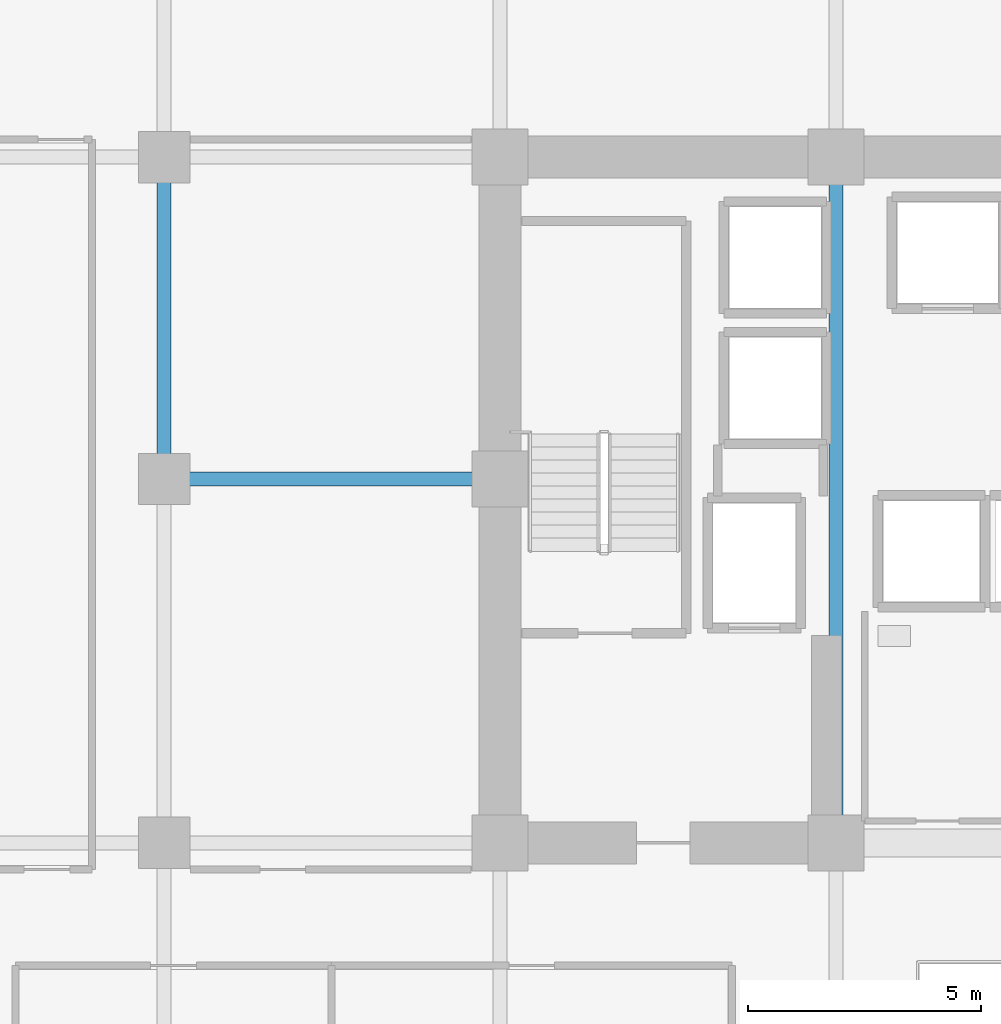
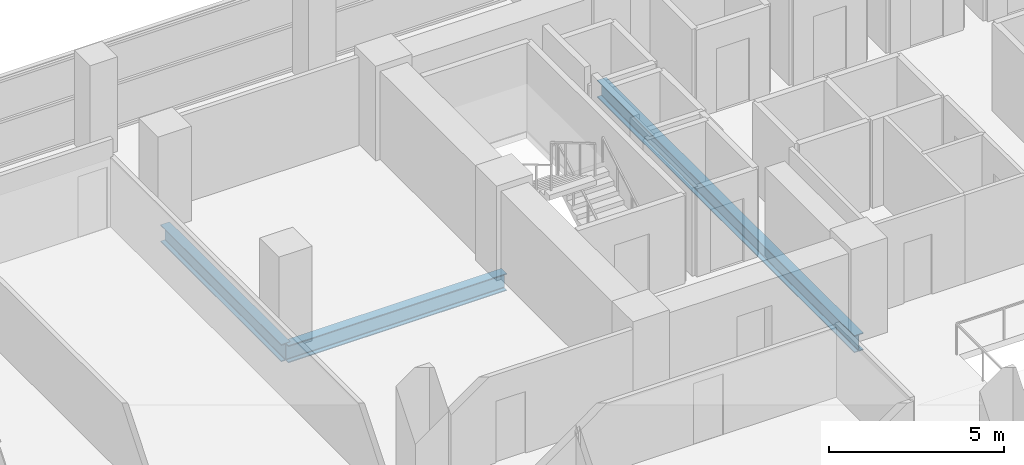
# One storey, part 11 of 30: 3 beams.
"""IFC4 building model written with IfcOpenShell, lengths in metres."""

import ifcopenshell
import ifcopenshell.guid

model = None  # the IFC model being written
_history = None  # IfcOwnerHistory: only IFC2X3 demands one
_inside = {}  # id of a spatial element -> (the spatial element, [elements in it])
_under = {}  # id of a project, library or spatial element -> (it, [spatial elements below it])
_declared = {}  # id of a project -> (the project, [libraries it declares])
_typed = {}  # id of a type object -> (the type object, [elements of that type])
_made_of = {}  # id of a material, layer set ... -> (it, [elements and type objects made of it])


def new_model(schema):
    """Start an empty IFC model of exactly this schema.

    Asked for "IFC4X3", IfcOpenShell would pick the latest addendum, in which some entities
    have other attributes; the version numbers below select the first issue.
    IFC2X3 requires an IfcOwnerHistory on every rooted entity: one is made here for all.
    """
    global model, _history
    if schema == "IFC4X3":
        model = ifcopenshell.file(schema_version=(4, 3, 0, 0))
    else:
        model = ifcopenshell.file(schema=schema)
    _inside.clear()
    _under.clear()
    _declared.clear()
    _typed.clear()
    _made_of.clear()
    _history = None
    if model.schema == "IFC2X3":
        org = make("IfcOrganization", Name="unknown")
        user = make(
            "IfcPersonAndOrganization",
            ThePerson=make("IfcPerson", FamilyName="unknown"),
            TheOrganization=org,
        )
        app = make(
            "IfcApplication",
            ApplicationDeveloper=org,
            Version="unknown",
            ApplicationFullName="unknown",
            ApplicationIdentifier="unknown",
        )
        _history = make(
            "IfcOwnerHistory",
            OwningUser=user,
            OwningApplication=app,
            ChangeAction="ADDED",
            CreationDate=0,
        )
    return model


def make(cls, **values):
    """One entity of the class cls with the attributes given. An attribute that is None is left unset."""
    return model.create_entity(
        cls, **{name: value for name, value in values.items() if value is not None}
    )


def rooted(cls, **values):
    """An entity with a GlobalId (a new one), such as an element, a storey or a relation."""
    return make(cls, GlobalId=ifcopenshell.guid.new(), OwnerHistory=_history, **values)


def si_unit(unit_type, name, prefix=None):
    """IfcSIUnit, for example si_unit("LENGTHUNIT", "METRE", prefix="MILLI")."""
    return make("IfcSIUnit", UnitType=unit_type, Prefix=prefix, Name=name)


def assignment(units):
    """IfcUnitAssignment: the units of a project."""
    return None if units is None else make("IfcUnitAssignment", Units=units)


def point(xyz):
    """IfcCartesianPoint."""
    return None if xyz is None else make("IfcCartesianPoint", Coordinates=xyz)


def direction(xyz):
    """IfcDirection."""
    return None if xyz is None else make("IfcDirection", DirectionRatios=xyz)


def frame(location, z_axis=None, x_axis=None):
    """IfcAxis2Placement3D, a coordinate frame: its origin and axes. An axis left out is left unset."""
    return make(
        "IfcAxis2Placement3D",
        Location=point(location),
        Axis=direction(z_axis),
        RefDirection=direction(x_axis),
    )


def frame_2d(location, x_axis=None):
    """IfcAxis2Placement2D, a coordinate frame in the plane: its origin and x axis."""
    return make(
        "IfcAxis2Placement2D", Location=point(location), RefDirection=direction(x_axis)
    )


def origin():
    """The frame at (0, 0, 0) with its axes left unset."""
    return frame((0.0, 0.0, 0.0))


def origin_2d():
    """The frame at (0, 0) in the plane with its x axis left unset."""
    return frame_2d((0.0, 0.0))


def place(relative_to, where):
    """IfcLocalPlacement: puts the frame where relative to a parent placement (None: the world)."""
    return make(
        "IfcLocalPlacement", PlacementRelTo=relative_to, RelativePlacement=where
    )


def context(
    kind, dimensions, precision=None, world=None, true_north=None, identifier=None
):
    """IfcGeometricRepresentationContext, for example the 3D "Model" context."""
    return make(
        "IfcGeometricRepresentationContext",
        ContextIdentifier=identifier,
        ContextType=kind,
        CoordinateSpaceDimension=dimensions,
        Precision=precision,
        WorldCoordinateSystem=world,
        TrueNorth=true_north,
    )


def subcontext(parent, identifier, kind, view, scale=None):
    """IfcGeometricRepresentationSubContext, for example "Body" below "Model"."""
    return make(
        "IfcGeometricRepresentationSubContext",
        ContextIdentifier=identifier,
        ContextType=kind,
        ParentContext=parent,
        TargetScale=scale,
        TargetView=view,
    )


def project(units=None, contexts=None):
    """IfcProject with its units and contexts."""
    return rooted(
        "IfcProject",
        Name="project",
        RepresentationContexts=contexts,
        UnitsInContext=assignment(units),
    )


def spatial(cls, under=None, at=None, **own):
    """A site, building, storey or space (cls), placed at a placement, below another one or the project."""
    s = rooted(cls, ObjectPlacement=at, **own)
    if under is not None:
        _under.setdefault(under.id(), (under, []))[1].append(s)
    return s


def profile(cls, at=None, kind="AREA", **sizes):
    """A parametric profile (cls). Its sizes go by their IFC names, for example OverallWidth=200.0."""
    return make(cls, ProfileType=kind, Position=at, **sizes)


def i_section(**sizes):
    """IfcIShapeProfileDef."""
    return profile("IfcIShapeProfileDef", **sizes)


def extrude(swept, where, along, depth):
    """IfcExtrudedAreaSolid: the profile swept, set in the frame where, extruded along a direction by depth."""
    return make(
        "IfcExtrudedAreaSolid",
        SweptArea=swept,
        Position=where,
        ExtrudedDirection=direction(along),
        Depth=depth,
    )


def shape(context_of_items, identifier, shape_type, items):
    """IfcShapeRepresentation: the items that make up one representation, for example the "Body"."""
    return make(
        "IfcShapeRepresentation",
        ContextOfItems=context_of_items,
        RepresentationIdentifier=identifier,
        RepresentationType=shape_type,
        Items=items,
    )


def material(Name=None, Category=None):
    """IfcMaterial."""
    return make("IfcMaterial", Name=Name, Category=Category)


def material_profile(
    of_material, cross_section, Name=None, Category=None, Priority=None
):
    """IfcMaterialProfile: a cross section and its material."""
    return make(
        "IfcMaterialProfile",
        Name=Name,
        Material=of_material,
        Profile=cross_section,
        Priority=Priority,
        Category=Category,
    )


def profile_set(profiles, Name=None, composite=None):
    """IfcMaterialProfileSet."""
    return make(
        "IfcMaterialProfileSet",
        Name=Name,
        MaterialProfiles=profiles,
        CompositeProfile=composite,
    )


def made_of(thing, what):
    """Note that an element or type object is made of a material, layer set ...; save() writes the relation."""
    if what is not None:
        _made_of.setdefault(what.id(), (what, []))[1].append(thing)
    return thing


def type_object(cls, material=None, **own):
    """A type object (cls), such as IfcWallType, which elements share."""
    return made_of(rooted(cls, **own), material)


def element(
    cls,
    number,
    at=None,
    inside=None,
    cuts=None,
    type_object=None,
    material=None,
    context=None,
    identifier="Body",
    shape_type=None,
    held_by="IfcProductDefinitionShape",
    body=None,
    shapes=None,
    **own,
):
    """One element of the class cls, such as IfcWall. Its Tag is "e" and its number.

    at: its placement. inside: the storey or other place that contains it. cuts: it is an
    opening in that element (IfcRelVoidsElement). A single representation is given by context,
    identifier, shape_type and body (its items); several are given by shapes. held_by: the class
    of the entity that holds the representations. save() writes the other relations.
    """
    e = rooted(cls, Tag="e%d" % number, ObjectPlacement=at, **own)
    if body is not None:
        shapes = [shape(context, identifier, shape_type, body)]
    if shapes is not None:
        e.Representation = make(held_by, Representations=shapes)
    if inside is not None:
        _inside.setdefault(inside.id(), (inside, []))[1].append(e)
    if cuts is not None:
        rooted(
            "IfcRelVoidsElement", RelatingBuildingElement=cuts, RelatedOpeningElement=e
        )
    if type_object is not None:
        _typed.setdefault(type_object.id(), (type_object, []))[1].append(e)
    return made_of(e, material)


def aggregate(whole, parts):
    """IfcRelAggregates: a whole, such as a stair, and the parts it consists of."""
    return rooted("IfcRelAggregates", RelatingObject=whole, RelatedObjects=parts)


def save(model, path):
    """Write the relations noted so far, then the file.

    IfcRelAggregates (storeys below a building ...), IfcRelContainedInSpatialStructure (elements
    in a storey), IfcRelDefinesByType, IfcRelAssociatesMaterial and IfcRelDeclares: one each for
    every whole, place, type object, material and project.
    """
    for whole, parts in _under.values():
        aggregate(whole, parts)
    for where, things in _inside.values():
        rooted(
            "IfcRelContainedInSpatialStructure",
            RelatedElements=things,
            RelatingStructure=where,
        )
    for kind, things in _typed.values():
        rooted("IfcRelDefinesByType", RelatedObjects=things, RelatingType=kind)
    for what, things in _made_of.values():
        rooted("IfcRelAssociatesMaterial", RelatedObjects=things, RelatingMaterial=what)
    for by, libraries in _declared.values():
        rooted("IfcRelDeclares", RelatingContext=by, RelatedDefinitions=libraries)
    model.write(path)


model = new_model("IFC4")

# Units and contexts
model_context = context("Model", 3, precision=1e-05, world=origin(), true_north=direction((0.0, 1.0)))
body_context = subcontext(model_context, "Body", "Model", "MODEL_VIEW")
ifc_project = project(units=[si_unit("LENGTHUNIT", "METRE"), si_unit("AREAUNIT", "SQUARE_METRE"), si_unit("VOLUMEUNIT", "CUBIC_METRE"), si_unit("PLANEANGLEUNIT", "RADIAN"), si_unit("MASSUNIT", "GRAM", prefix="KILO")], contexts=[model_context])

# Site, building, storey
site_placement = place(None, origin())
site = spatial("IfcSite", under=ifc_project, at=site_placement, CompositionType="ELEMENT")
building_placement = place(site_placement, origin())
building = spatial("IfcBuilding", under=site, at=building_placement, Name="Zarnakvel Exchange Tower", CompositionType="ELEMENT")
storey_placement = place(building_placement, frame((0.0, 0.0, 43.89990234375)))
storey = spatial("IfcBuildingStorey", under=building, at=storey_placement, Name="L11", CompositionType="ELEMENT", Elevation=43.89990234375)

# Beams
ifc_material = material(Name="Steel S355", Category="steel")
ifc_material_profile = material_profile(ifc_material, i_section(OverallWidth=0.300048828125, OverallDepth=0.60009765625, WebThickness=0.015380859375, FlangeThickness=0.030029296875, FilletRadius=0.027099609375, at=origin_2d()))
ifc_profile_set = profile_set([ifc_material_profile], Name="Steel S355")
beam_type = type_object("IfcBeamType", Name="G-04", PredefinedType="BEAM", material=ifc_profile_set)
beam_1_placement = place(storey_placement, frame((-21.60009765625, 6.60009765625, -0.52490234375), z_axis=(1.0, 0.0, 0.0), x_axis=(0.0, 1.0, 0.0)))
element("IfcBeam", 1, at=beam_1_placement, inside=storey, type_object=beam_type, Name="L11 Tower E-W Frame Beam", PredefinedType="BEAM", context=body_context, shape_type="SweptSolid", body=[
    extrude(i_section(OverallWidth=0.300048828125, OverallDepth=0.60009765625, WebThickness=0.015380859375, FlangeThickness=0.030029296875, FilletRadius=0.027099609375, at=origin_2d()), origin(), (0.0, 0.0, 1.0), 7.2001953125),
])
beam_2_placement = place(storey_placement, frame((-21.60009765625, 6.60009765625, -0.52490234375), z_axis=(0.0, 1.0, 0.0), x_axis=(-1.0, 0.0, 0.0)))
element("IfcBeam", 2, at=beam_2_placement, inside=storey, type_object=beam_type, Name="L11 Tower N-S Frame Beam", PredefinedType="BEAM", context=body_context, shape_type="SweptSolid", body=[
    extrude(i_section(OverallWidth=0.300048828125, OverallDepth=0.60009765625, WebThickness=0.015380859375, FlangeThickness=0.030029296875, FilletRadius=0.027099609375, at=origin_2d()), origin(), (0.0, 0.0, 1.0), 6.89990234375),
])
beam_3_placement = place(storey_placement, frame((-7.199951171875, -1.199951171875, -0.52490234375), z_axis=(0.0, 1.0, 0.0), x_axis=(-1.0, 0.0, 0.0)))
element("IfcBeam", 3, at=beam_3_placement, inside=storey, type_object=beam_type, Name="L11 Tower N-S Frame Beam", PredefinedType="BEAM", context=body_context, shape_type="SweptSolid", body=[
    extrude(i_section(OverallWidth=0.300048828125, OverallDepth=0.60009765625, WebThickness=0.015380859375, FlangeThickness=0.030029296875, FilletRadius=0.027099609375, at=origin_2d()), origin(), (0.0, 0.0, 1.0), 14.699951171875),
])

save(model, "model.ifc")
